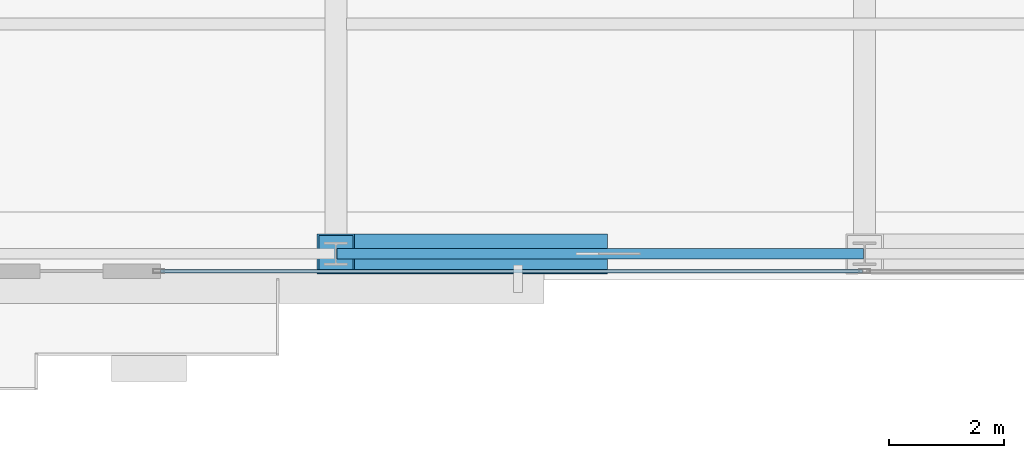
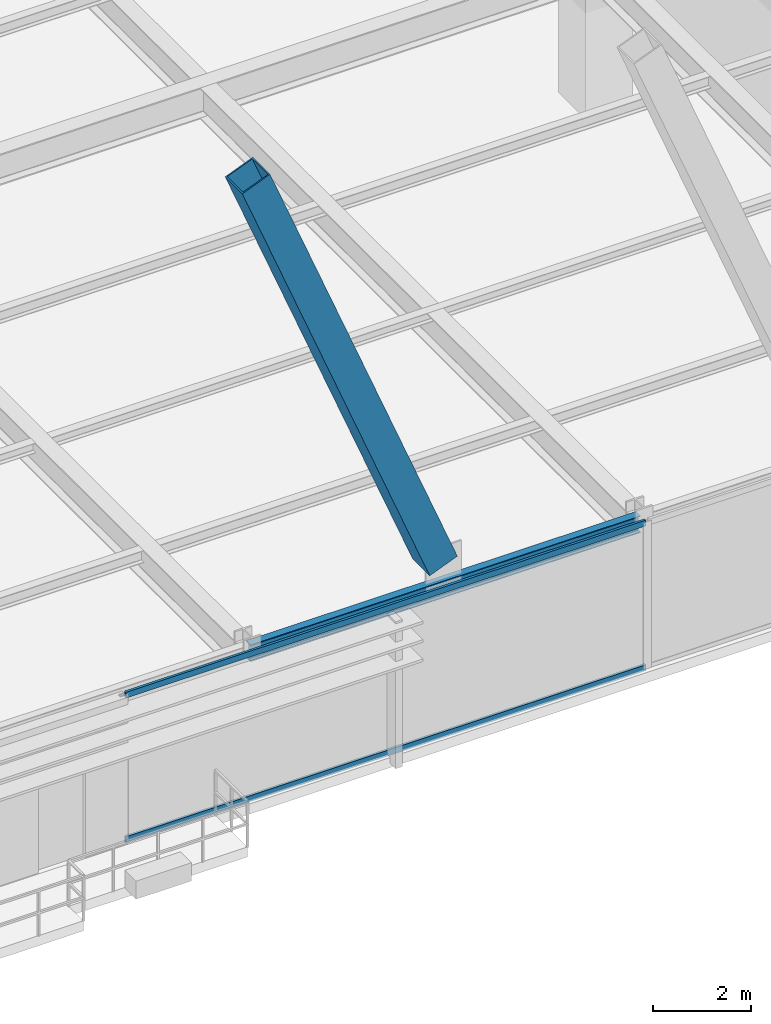
# One storey, part 6 of 35: 3 members, 1 beam, 1 element without a shape of its own.
"""IFC4 building model written with IfcOpenShell, lengths in metres."""

from ifc_helpers import new_model, si_unit, direction, frame, origin, origin_2d, place, context, subcontext, project, spatial, hollow_rectangle, i_section, extrude, source, transform, mapped, material, layer, layer_set, material_profile, profile_set, type_object, type_shapes, element, aggregate, save


model = new_model("IFC4")

# Units and contexts
model_context = context("Model", 3, precision=1e-05, world=origin(), true_north=direction((0.0, 1.0)))
body_context = subcontext(model_context, "Body", "Model", "MODEL_VIEW")
ifc_project = project(units=[si_unit("LENGTHUNIT", "METRE"), si_unit("AREAUNIT", "SQUARE_METRE"), si_unit("VOLUMEUNIT", "CUBIC_METRE"), si_unit("PLANEANGLEUNIT", "RADIAN"), si_unit("MASSUNIT", "GRAM", prefix="KILO")], contexts=[model_context])

# Site, building, storey
site_placement = place(None, origin())
site = spatial("IfcSite", under=ifc_project, at=site_placement, CompositionType="ELEMENT")
building_placement = place(site_placement, origin())
building = spatial("IfcBuilding", under=site, at=building_placement, Name="Varnel Quay Broadcast Tower", CompositionType="ELEMENT")
storey_placement = place(building_placement, frame((0.0, 0.0, 66.60009765625)))
storey = spatial("IfcBuildingStorey", under=building, at=storey_placement, Name="L15", CompositionType="ELEMENT", Elevation=66.60009765625)

# Beam
ifc_material_1 = material(Name="Structural Steel CSA G40.21 350W", Category="steel")
ifc_material_profile_1 = material_profile(ifc_material_1, i_section(OverallWidth=0.180908203125, OverallDepth=0.4169921875, WebThickness=0.010986328125, FlangeThickness=0.018310546875, FilletRadius=0.011962890625, at=origin_2d()), Name="W410X85")
ifc_profile_set_1 = profile_set([ifc_material_profile_1], Name="Structural Steel CSA G40.21 350W")
beam_type = type_object("IfcBeamType", Name="Beam_W410X85", PredefinedType="SPANDREL", material=ifc_profile_set_1)
shared_shape_1 = source(origin(), body_context, "Body", "SweptSolid", [
    extrude(i_section(OverallWidth=0.180908203125, OverallDepth=0.4169921875, WebThickness=0.010986328125, FlangeThickness=0.018310546875, FilletRadius=0.011962890625, at=origin_2d()), origin(), (0.0, 0.0, 1.0), 9.159912109375),
])
type_shapes(beam_type, [shared_shape_1])
beam_placement = place(storey_placement, frame((24.820068359375, 1.64990234375, 3.44140625), z_axis=(1.0, 0.0, 0.0), x_axis=(0.0, 1.0, 0.0)))
element("IfcBeam", 1, at=beam_placement, inside=storey, type_object=beam_type, Name="L15 South Spandrel TC-S2-TC-S3", PredefinedType="SPANDREL", context=body_context, shape_type="MappedRepresentation", body=[
    mapped(shared_shape_1, transform((0.0, 0.0, 0.0), x_axis=(1.0, 0.0, 0.0), y_axis=(0.0, 1.0, 0.0), z_axis=(0.0, 0.0, 1.0), scale=1.0)),
])

# Member
ifc_material_2 = material(Name="Structural Steel CSA G40.21 350WT", Category="steel")
ifc_material_profile_2 = material_profile(ifc_material_2, hollow_rectangle(XDim=0.699951171875, YDim=0.699951171875, WallThickness=0.031982421875, at=origin_2d()), Name="BOX700X700X32")
ifc_profile_set_2 = profile_set([ifc_material_profile_2], Name="Structural Steel CSA G40.21 350WT")
member_type_1 = type_object("IfcMemberType", Name="Brace_BOX700X700X32", PredefinedType="BRACE", material=ifc_profile_set_2)
shared_shape_2 = source(origin(), body_context, "Body", "SweptSolid", [
    extrude(hollow_rectangle(XDim=0.699951171875, YDim=0.699951171875, WallThickness=0.031982421875, at=origin_2d()), origin(), (0.0, 0.0, 1.0), 11.871337890625),
])
type_shapes(member_type_1, [shared_shape_2])
member_1_placement = place(storey_placement, frame((29.202392578125, 1.64990234375, 4.235107421875), z_axis=(-0.370837468856, 0.0, 0.928697782754), x_axis=(0.0, -1.0, 0.0)))
element("IfcMember", 2, at=member_1_placement, inside=storey, type_object=member_type_1, Name="Zone 1 Mega-Brace S-C1T3 Split Diag B2", PredefinedType="BRACE", context=body_context, shape_type="MappedRepresentation", body=[
    mapped(shared_shape_2, transform((0.0, 0.0, 0.0), x_axis=(1.0, 0.0, 0.0), y_axis=(0.0, 1.0, 0.0), z_axis=(0.0, 0.0, 1.0), scale=1.0)),
])

# Curtain wall, members
ifc_material_3 = material(Name="Anodised Bronze Aluminium 6063-T6", Category="aluminium")
ifc_layer = layer(ifc_material_3, 0.18994140625, Name="Anodised Bronze Aluminium 6063-T6")
ifc_layer_set = layer_set([ifc_layer], Name="Anodised Bronze Aluminium 6063-T6")
curtain_wall_type = type_object("IfcCurtainWallType", Name="CW_LowerTower", PredefinedType="NOTDEFINED", material=ifc_layer_set)
curtain_wall_placement = place(storey_placement, origin())
curtain_wall = element("IfcCurtainWall", 3, at=curtain_wall_placement, inside=storey, type_object=curtain_wall_type, Name="L15 South Unitised Curtain Wall 2", PredefinedType="NOTDEFINED")
ifc_material_profile_3 = material_profile(ifc_material_3, hollow_rectangle(XDim=0.06005859375, YDim=0.14501953125, WallThickness=0.00341796875, at=origin_2d()), Name="ALU60X145X3.5")
ifc_profile_set_3 = profile_set([ifc_material_profile_3], Name="Anodised Bronze Aluminium 6063-T6")
member_type_2 = type_object("IfcMemberType", Name="Tran_CWS-02", PredefinedType="USERDEFINED", material=ifc_profile_set_3)
shared_shape_3 = source(origin(), body_context, "Body", "SweptSolid", [
    extrude(hollow_rectangle(XDim=0.06005859375, YDim=0.14501953125, WallThickness=0.00341796875, at=origin_2d()), origin(), (0.0, 0.0, 1.0), 12.215087890625),
])
type_shapes(member_type_2, [shared_shape_3])
member_2_placement = place(storey_placement, frame((21.75, 1.35009765625, 0.02978515625), z_axis=(1.0, 0.0, 0.0), x_axis=(0.0, 1.0, 0.0)))
member_2 = element("IfcMember", 4, at=member_2_placement, type_object=member_type_2, Name="CWS-02 transom 1.1", ObjectType="TRANSOM", PredefinedType="USERDEFINED", context=body_context, shape_type="MappedRepresentation", body=[
    mapped(shared_shape_3, transform((0.0, 0.0, 0.0), x_axis=(1.0, 0.0, 0.0), y_axis=(0.0, 1.0, 0.0), z_axis=(0.0, 0.0, 1.0), scale=1.0)),
])
member_3_placement = place(storey_placement, frame((21.75, 1.35009765625, 3.619873046875), z_axis=(1.0, 0.0, 0.0), x_axis=(0.0, 1.0, 0.0)))
member_3 = element("IfcMember", 5, at=member_3_placement, type_object=member_type_2, Name="CWS-02 transom 1.2", ObjectType="TRANSOM", PredefinedType="USERDEFINED", context=body_context, shape_type="MappedRepresentation", body=[
    mapped(shared_shape_3, transform((0.0, 0.0, 0.0), x_axis=(1.0, 0.0, 0.0), y_axis=(0.0, 1.0, 0.0), z_axis=(0.0, 0.0, 1.0), scale=1.0)),
])
aggregate(curtain_wall, [member_2, member_3])

save(model, "model.ifc")
